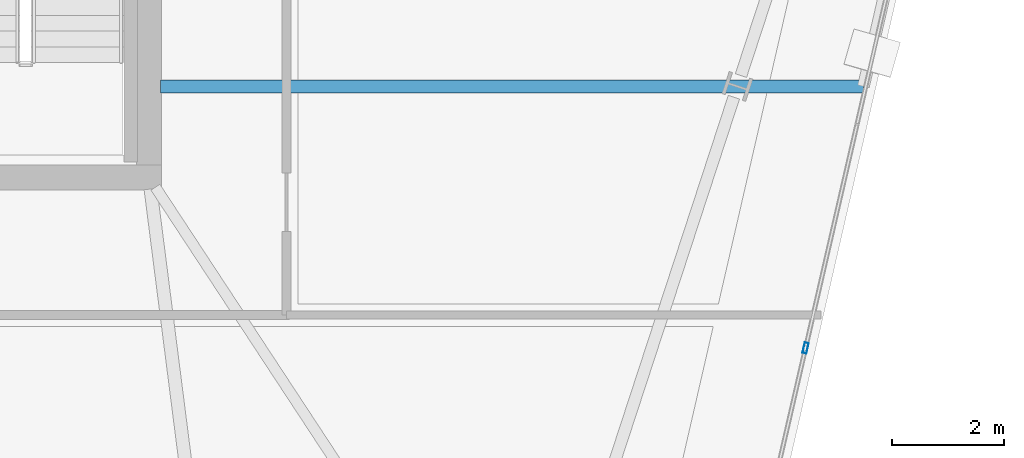
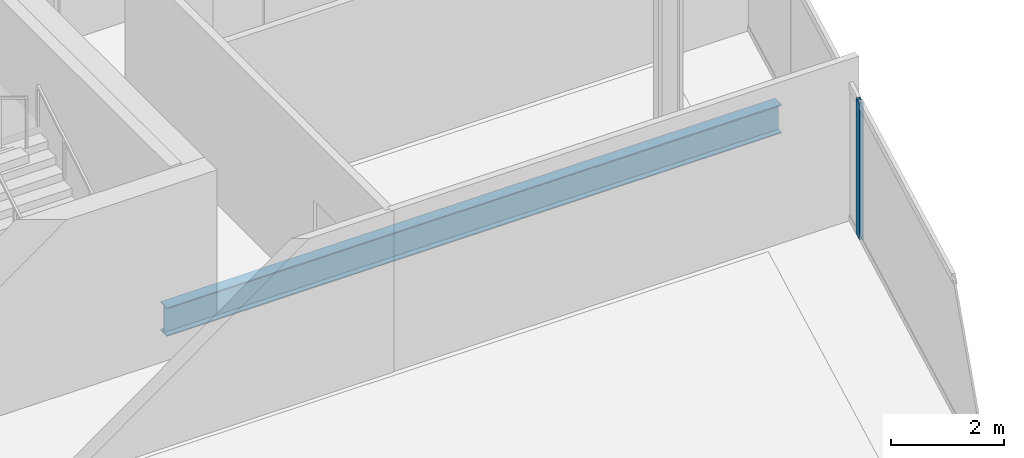
# One storey, part 10 of 28: 1 beam, 1 member, 1 element without a shape of its own.
"""IFC4 building model written with IfcOpenShell, lengths in metres."""

from ifc_helpers import new_model, si_unit, direction, frame, origin, origin_2d, place, context, subcontext, project, spatial, hollow_rectangle, i_section, extrude, material, material_profile, profile_set, type_object, element, aggregate, save


model = new_model("IFC4")

# Units and contexts
model_context = context("Model", 3, precision=1e-05, world=origin(), true_north=direction((0.0, 1.0)))
body_context = subcontext(model_context, "Body", "Model", "MODEL_VIEW")
ifc_project = project(units=[si_unit("LENGTHUNIT", "METRE"), si_unit("AREAUNIT", "SQUARE_METRE"), si_unit("VOLUMEUNIT", "CUBIC_METRE"), si_unit("PLANEANGLEUNIT", "RADIAN"), si_unit("MASSUNIT", "GRAM", prefix="KILO")], contexts=[model_context])

# Site, building, storey
site_placement = place(None, origin())
site = spatial("IfcSite", under=ifc_project, at=site_placement, CompositionType="ELEMENT")
building_placement = place(site_placement, origin())
building = spatial("IfcBuilding", under=site, at=building_placement, Name="Haldenkirk Collegiate Tower", CompositionType="ELEMENT")
storey_placement = place(building_placement, frame((0.0, 0.0, 286.199951171875)))
storey = spatial("IfcBuildingStorey", under=building, at=storey_placement, Name="L72", CompositionType="ELEMENT", Elevation=286.199951171875)

# Beam
ifc_material_1 = material(Name="Steel ASTM A992 Grade 50", Category="steel")
ifc_material_profile_1 = material_profile(ifc_material_1, i_section(OverallWidth=0.22998046875, OverallDepth=0.616943359375, WebThickness=0.01318359375, FlangeThickness=0.022216796875, at=origin_2d()), Name="W24X94")
ifc_profile_set_1 = profile_set([ifc_material_profile_1], Name="Steel ASTM A992 Grade 50")
beam_type = type_object("IfcBeamType", Name="BM-GIRDER-W24X94", PredefinedType="BEAM", material=ifc_profile_set_1)
beam_placement = place(storey_placement, frame((57.728759765625, 19.624267578125, -0.578369140625), z_axis=(-1.0, 0.0, 0.0), x_axis=(0.0, -1.0, 0.0)))
element("IfcBeam", 1, at=beam_placement, inside=storey, type_object=beam_type, Name="L72 primary floor girder 06", PredefinedType="BEAM", context=body_context, shape_type="SweptSolid", body=[
    extrude(i_section(OverallWidth=0.22998046875, OverallDepth=0.616943359375, WebThickness=0.01318359375, FlangeThickness=0.022216796875, at=origin_2d()), origin(), (0.0, 0.0, 1.0), 12.523681640625),
])

# Curtain wall, member
ifc_material_2 = material(Name="Anodised architectural bronze aluminium", Category="aluminium")
curtain_wall_type = type_object("IfcCurtainWallType", Name="CW-SYS2-CONCAVE", PredefinedType="USERDEFINED", material=ifc_material_2)
curtain_wall_placement = place(storey_placement, origin())
curtain_wall = element("IfcCurtainWall", 2, at=curtain_wall_placement, inside=storey, type_object=curtain_wall_type, Name="L72 South concave recessed bronze-anodised curtain wall", ObjectType="UNITISED CURTAIN WALL", PredefinedType="USERDEFINED")
ifc_material_profile_2 = material_profile(ifc_material_2, hollow_rectangle(XDim=0.074951171875, YDim=0.18994140625, WallThickness=0.0048828125, at=origin_2d()), Name="CW-MUL-02")
ifc_profile_set_2 = profile_set([ifc_material_profile_2], Name="Anodised architectural bronze aluminium")
member_type = type_object("IfcMemberType", Name="CW-MUL-02", PredefinedType="MULLION", material=ifc_profile_set_2)
member_placement = place(storey_placement, frame((56.6982421875, 14.964111328125, 0.0), z_axis=(0.0, 0.0, 1.0), x_axis=(0.974566006497, -0.224100644756, 0.0)))
member = element("IfcMember", 3, at=member_placement, type_object=member_type, Name="CW-02 mullion 3", PredefinedType="MULLION", context=body_context, shape_type="SweptSolid", body=[
    extrude(hollow_rectangle(XDim=0.074951171875, YDim=0.18994140625, WallThickness=0.0048828125, at=origin_2d()), origin(), (0.0, 0.0, 1.0), 2.93798828125),
])
aggregate(curtain_wall, [member])

save(model, "model.ifc")
